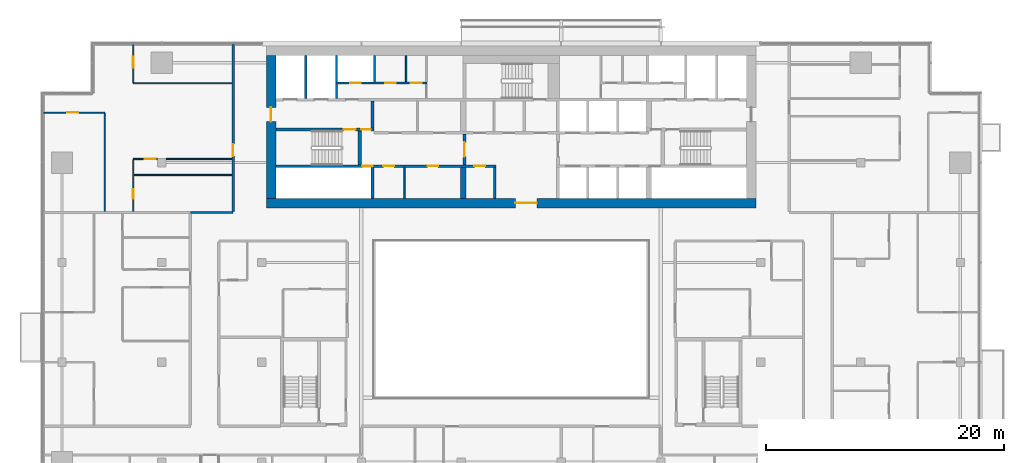
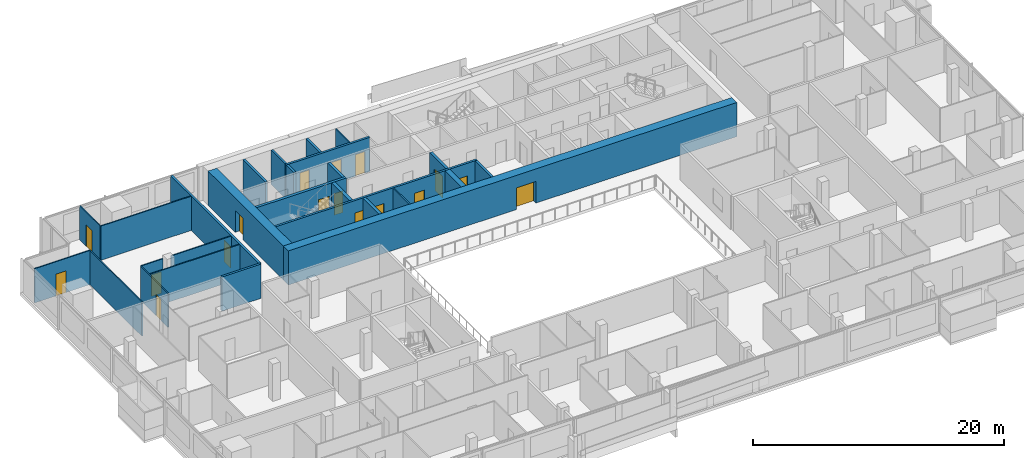
# One storey, part 20 of 27: 27 walls, 17 doors, 17 openings.
"""IFC4 building model written with IfcOpenShell, lengths in metres."""

from ifc_helpers import new_model, si_unit, direction, frame, frame_2d, origin, place, context, subcontext, project, spatial, rectangle, extrude, material, layer, layer_set, type_object, element, fill, save


model = new_model("IFC4")

# Units and contexts
model_context = context("Model", 3, precision=1e-05, world=origin(), true_north=direction((0.0, 1.0)))
body_context = subcontext(model_context, "Body", "Model", "MODEL_VIEW")
ifc_project = project(units=[si_unit("LENGTHUNIT", "METRE"), si_unit("AREAUNIT", "SQUARE_METRE"), si_unit("VOLUMEUNIT", "CUBIC_METRE"), si_unit("PLANEANGLEUNIT", "RADIAN"), si_unit("MASSUNIT", "GRAM", prefix="KILO")], contexts=[model_context])

# Site, building, storey
site_placement = place(None, origin())
site = spatial("IfcSite", under=ifc_project, at=site_placement, CompositionType="ELEMENT")
building_placement = place(site_placement, origin())
building = spatial("IfcBuilding", under=site, at=building_placement, Name="Saffron Gate Tower", CompositionType="ELEMENT")
storey_placement = place(building_placement, frame((0.0, 0.0, 172.64990234375)))
storey = spatial("IfcBuildingStorey", under=building, at=storey_placement, Name="L42", CompositionType="ELEMENT", Elevation=172.64990234375)

# Wall
ifc_material_1 = material(Name="Gypsum board partition on steel studs", Category="steel")
ifc_layer_1 = layer(ifc_material_1, 0.199951171875)
ifc_layer_set_1 = layer_set([ifc_layer_1], Name="CW10 Core partition 200")
wall_type_1 = type_object("IfcWallType", Name="CW10 Core partition 200", PredefinedType="PARTITIONING", material=ifc_layer_set_1)
wall_1_placement = place(storey_placement, frame((86.199951171875, 62.39990234375, 0.0), z_axis=(0.0, 0.0, 1.0), x_axis=(0.0, 1.0, 0.0)))
element("IfcWall", 1, at=wall_1_placement, inside=storey, type_object=wall_type_1, Name="Wall CW10-L42-8", PredefinedType="PARTITIONING", context=body_context, shape_type="SweptSolid", body=[
    extrude(rectangle(XDim=2.60009765625, YDim=0.199951171875, at=frame_2d((1.300048828125, 0.0))), origin(), (0.0, 0.0, 1.0), 3.320068359375),
])

# Wall, opening, door
ifc_material_2 = material(Name="Concrete C60", Category="concrete")
ifc_layer_2 = layer(ifc_material_2, 0.800048828125)
ifc_layer_set_2 = layer_set([ifc_layer_2], Name="CW13 RC core wall 800 C60")
wall_type_2 = type_object("IfcWallType", Name="CW13 RC core wall 800 C60", PredefinedType="SOLIDWALL", material=ifc_layer_set_2)
wall_2_placement = place(storey_placement, frame((67.0, 62.0, 0.0), z_axis=(0.0, 0.0, 1.0), x_axis=(1.0, 0.0, 0.0)))
wall_2 = element("IfcWall", 2, at=wall_2_placement, inside=storey, type_object=wall_type_2, Name="Wall CW13-L42-1", PredefinedType="SOLIDWALL", context=body_context, shape_type="SweptSolid", body=[
    extrude(rectangle(XDim=41.199951171875, YDim=0.800048828125, at=frame_2d((20.60009765625, 0.0))), origin(), (0.0, 0.0, 1.0), 3.320068359375),
])
opening_1_placement = place(wall_2_placement, frame((20.949951171875, 0.0, 0.0)))
opening_1 = element("IfcOpeningElement", 3, at=opening_1_placement, cuts=wall_2, Name="Opening CR-09", PredefinedType="OPENING", context=body_context, shape_type="SweptSolid", body=[
    extrude(rectangle(XDim=1.800048828125, YDim=2.10009765625, at=frame_2d((0.89990234375, 1.050048828125))), frame((0.0, 0.41015625, 0.0), z_axis=(0.0, -1.0, 0.0), x_axis=(1.0, 0.0, 0.0)), (0.0, 0.0, 1.0), 0.820068359375),
])
ifc_material_3 = material(Name="Steel fire door set", Category="steel")
door_type_1 = type_object("IfcDoorType", Name="CD1 Core entrance door 1800x2100 EI 120", OperationType="NOTDEFINED", PredefinedType="DOOR", material=ifc_material_3)
door_1_placement = place(opening_1_placement, origin())
door_1 = element("IfcDoor", 4, at=door_1_placement, inside=storey, type_object=door_type_1, Name="DOOR CR-09", OperationType="DOUBLE_DOOR_SINGLE_SWING", OverallHeight=2.10009765625, OverallWidth=1.800048828125, PredefinedType="DOOR", context=body_context, shape_type="SweptSolid", body=[
    extrude(rectangle(XDim=1.800048828125, YDim=2.10009765625, at=frame_2d((0.89990234375, 1.050048828125))), frame((0.0, 0.02490234375, 0.0), z_axis=(0.0, -1.0, 0.0), x_axis=(1.0, 0.0, 0.0)), (0.0, 0.0, 1.0), 0.050048828125),
])
fill(opening_1, door_1)

wall_3_placement = place(storey_placement, frame((67.39990234375, 62.39990234375, 0.0), z_axis=(0.0, 0.0, 1.0), x_axis=(0.0, 1.0, 0.0)))
wall_3 = element("IfcWall", 5, at=wall_3_placement, inside=storey, type_object=wall_type_2, Name="Wall CW13-L42-3", PredefinedType="SOLIDWALL", context=body_context, shape_type="SweptSolid", body=[
    extrude(rectangle(XDim=12.0, YDim=0.800048828125, at=frame_2d((6.0, 0.0))), origin(), (0.0, 0.0, 1.0), 3.320068359375),
])
opening_2_placement = place(wall_3_placement, frame((6.449951171875, 0.0, 0.0)))
opening_2 = element("IfcOpeningElement", 6, at=opening_2_placement, cuts=wall_3, Name="Opening CR-10", PredefinedType="OPENING", context=body_context, shape_type="SweptSolid", body=[
    extrude(rectangle(XDim=1.199951171875, YDim=2.10009765625, at=frame_2d((0.60009765625, 1.050048828125))), frame((0.0, 0.41015625, 0.0), z_axis=(0.0, -1.0, 0.0), x_axis=(1.0, 0.0, 0.0)), (0.0, 0.0, 1.0), 0.820068359375),
])
door_type_2 = type_object("IfcDoorType", Name="CD7 Core entrance door 1200x2100 EI 120", OperationType="NOTDEFINED", PredefinedType="DOOR", material=ifc_material_3)
door_2_placement = place(opening_2_placement, origin())
door_2 = element("IfcDoor", 7, at=door_2_placement, inside=storey, type_object=door_type_2, Name="DOOR CR-10", OperationType="SINGLE_SWING_LEFT", OverallHeight=2.10009765625, OverallWidth=1.199951171875, PredefinedType="DOOR", context=body_context, shape_type="SweptSolid", body=[
    extrude(rectangle(XDim=1.199951171875, YDim=2.10009765625, at=frame_2d((0.60009765625, 1.050048828125))), frame((0.0, 0.02490234375, 0.0), z_axis=(0.0, -1.0, 0.0), x_axis=(1.0, 0.0, 0.0)), (0.0, 0.0, 1.0), 0.050048828125),
])
fill(opening_2, door_2)

# Wall
ifc_layer_3 = layer(ifc_material_2, 0.25)
ifc_layer_set_3 = layer_set([ifc_layer_3], Name="CW14 RC core wall 250 C60")
wall_type_3 = type_object("IfcWallType", Name="CW14 RC core wall 250 C60", PredefinedType="SOLIDWALL", material=ifc_layer_set_3)
wall_4_placement = place(storey_placement, frame((75.925048828125, 62.39990234375, 0.0), z_axis=(0.0, 0.0, 1.0), x_axis=(0.0, 1.0, 0.0)))
element("IfcWall", 8, at=wall_4_placement, inside=storey, type_object=wall_type_3, Name="Wall CW14-L42-5", PredefinedType="SOLIDWALL", context=body_context, shape_type="SweptSolid", body=[
    extrude(rectangle(XDim=2.60009765625, YDim=0.25, at=frame_2d((1.300048828125, 0.0))), origin(), (0.0, 0.0, 1.0), 3.320068359375),
])

# Wall, opening, door
wall_5_placement = place(storey_placement, frame((83.675048828125, 65.199951171875, 0.0), z_axis=(0.0, 0.0, 1.0), x_axis=(0.0, 1.0, 0.0)))
wall_5 = element("IfcWall", 9, at=wall_5_placement, inside=storey, type_object=wall_type_3, Name="Wall CW14-L42-16", PredefinedType="SOLIDWALL", context=body_context, shape_type="SweptSolid", body=[
    extrude(rectangle(XDim=2.60009765625, YDim=0.25, at=frame_2d((1.300048828125, 0.0))), origin(), (0.0, 0.0, 1.0), 3.320068359375),
])
opening_3_placement = place(wall_5_placement, frame((0.699951171875, 0.0, 0.0)))
opening_3 = element("IfcOpeningElement", 10, at=opening_3_placement, cuts=wall_5, Name="Opening CR-07", PredefinedType="OPENING", context=body_context, shape_type="SweptSolid", body=[
    extrude(rectangle(XDim=1.199951171875, YDim=2.10009765625, at=frame_2d((0.60009765625, 1.050048828125))), frame((0.0, 0.135009765625, 0.0), z_axis=(0.0, -1.0, 0.0), x_axis=(1.0, 0.0, 0.0)), (0.0, 0.0, 1.0), 0.27001953125),
])
door_type_3 = type_object("IfcDoorType", Name="CD3 Lobby door 1200x2100 EI 120", OperationType="NOTDEFINED", PredefinedType="DOOR", material=ifc_material_3)
door_3_placement = place(opening_3_placement, origin())
door_3 = element("IfcDoor", 11, at=door_3_placement, inside=storey, type_object=door_type_3, Name="DOOR CR-07", OperationType="SINGLE_SWING_RIGHT", OverallHeight=2.10009765625, OverallWidth=1.199951171875, PredefinedType="DOOR", context=body_context, shape_type="SweptSolid", body=[
    extrude(rectangle(XDim=1.199951171875, YDim=2.10009765625, at=frame_2d((0.60009765625, 1.050048828125))), frame((0.0, 0.02490234375, 0.0), z_axis=(0.0, -1.0, 0.0), x_axis=(1.0, 0.0, 0.0)), (0.0, 0.0, 1.0), 0.050048828125),
])
fill(opening_3, door_3)

# Wall, openings, doors
wall_6_placement = place(storey_placement, frame((67.800048828125, 68.175048828125, 0.0), z_axis=(0.0, 0.0, 1.0), x_axis=(1.0, 0.0, 0.0)))
wall_6 = element("IfcWall", 12, at=wall_6_placement, inside=storey, type_object=wall_type_3, Name="Wall CW14-L42-28", PredefinedType="SOLIDWALL", context=body_context, shape_type="SweptSolid", body=[
    extrude(rectangle(XDim=8.25, YDim=0.25, at=frame_2d((4.125, 0.0))), origin(), (0.0, 0.0, 1.0), 3.320068359375),
])
opening_4_placement = place(wall_6_placement, frame((5.699951171875, 0.0, 0.0)))
opening_4 = element("IfcOpeningElement", 13, at=opening_4_placement, cuts=wall_6, Name="Opening CR-15", PredefinedType="OPENING", context=body_context, shape_type="SweptSolid", body=[
    extrude(rectangle(XDim=1.0, YDim=2.10009765625, at=frame_2d((0.5, 1.050048828125))), frame((0.0, 0.135009765625, 0.0), z_axis=(0.0, -1.0, 0.0), x_axis=(1.0, 0.0, 0.0)), (0.0, 0.0, 1.0), 0.27001953125),
])
opening_5_placement = place(wall_6_placement, frame((7.199951171875, 0.0, 0.0)))
opening_5 = element("IfcOpeningElement", 14, at=opening_5_placement, cuts=wall_6, Name="Opening CR-06", PredefinedType="OPENING", context=body_context, shape_type="SweptSolid", body=[
    extrude(rectangle(XDim=0.800048828125, YDim=2.10009765625, at=frame_2d((0.39990234375, 1.050048828125))), frame((0.0, 0.135009765625, 0.0), z_axis=(0.0, -1.0, 0.0), x_axis=(1.0, 0.0, 0.0)), (0.0, 0.0, 1.0), 0.27001953125),
])
door_type_4 = type_object("IfcDoorType", Name="CD5 Stair door 1000x2100 EI 120", OperationType="NOTDEFINED", PredefinedType="DOOR", material=ifc_material_3)
door_4_placement = place(opening_4_placement, origin())
door_4 = element("IfcDoor", 15, at=door_4_placement, inside=storey, type_object=door_type_4, Name="DOOR CR-15", OperationType="SINGLE_SWING_RIGHT", OverallHeight=2.10009765625, OverallWidth=1.0, PredefinedType="DOOR", context=body_context, shape_type="SweptSolid", body=[
    extrude(rectangle(XDim=1.0, YDim=2.10009765625, at=frame_2d((0.5, 1.050048828125))), frame((0.0, 0.02490234375, 0.0), z_axis=(0.0, -1.0, 0.0), x_axis=(1.0, 0.0, 0.0)), (0.0, 0.0, 1.0), 0.050048828125),
])
fill(opening_4, door_4)
door_type_5 = type_object("IfcDoorType", Name="CD6 Lobby door 800x2100 EI 120", OperationType="NOTDEFINED", PredefinedType="DOOR", material=ifc_material_3)
door_5_placement = place(opening_5_placement, origin())
door_5 = element("IfcDoor", 16, at=door_5_placement, inside=storey, type_object=door_type_5, Name="DOOR CR-06", OperationType="SINGLE_SWING_LEFT", OverallHeight=2.10009765625, OverallWidth=0.800048828125, PredefinedType="DOOR", context=body_context, shape_type="SweptSolid", body=[
    extrude(rectangle(XDim=0.800048828125, YDim=2.10009765625, at=frame_2d((0.39990234375, 1.050048828125))), frame((0.0, 0.02490234375, 0.0), z_axis=(0.0, -1.0, 0.0), x_axis=(1.0, 0.0, 0.0)), (0.0, 0.0, 1.0), 0.050048828125),
])
fill(opening_5, door_5)

# Wall
wall_7_placement = place(storey_placement, frame((75.925048828125, 68.300048828125, 0.0), z_axis=(0.0, 0.0, 1.0), x_axis=(0.0, 1.0, 0.0)))
element("IfcWall", 17, at=wall_7_placement, inside=storey, type_object=wall_type_3, Name="Wall CW14-L42-30", PredefinedType="SOLIDWALL", context=body_context, shape_type="SweptSolid", body=[
    extrude(rectangle(XDim=2.300048828125, YDim=0.25, at=frame_2d((1.14990234375, 0.0))), origin(), (0.0, 0.0, 1.0), 3.320068359375),
])

# Wall, openings, doors
ifc_layer_4 = layer(ifc_material_2, 0.199951171875)
ifc_layer_set_4 = layer_set([ifc_layer_4], Name="CW15 RC core wall 200 C60")
wall_type_4 = type_object("IfcWallType", Name="CW15 RC core wall 200 C60", PredefinedType="SOLIDWALL", material=ifc_layer_set_4)
wall_8_placement = place(storey_placement, frame((67.800048828125, 65.10009765625, 0.0), z_axis=(0.0, 0.0, 1.0), x_axis=(1.0, 0.0, 0.0)))
wall_8 = element("IfcWall", 18, at=wall_8_placement, inside=storey, type_object=wall_type_4, Name="Wall CW15-L42-13", PredefinedType="SOLIDWALL", context=body_context, shape_type="SweptSolid", body=[
    extrude(rectangle(XDim=18.5, YDim=0.199951171875, at=frame_2d((9.25, 0.0))), origin(), (0.0, 0.0, 1.0), 3.320068359375),
])
opening_6_placement = place(wall_8_placement, frame((7.27001953125, 0.0, 0.0)))
opening_6 = element("IfcOpeningElement", 19, at=opening_6_placement, cuts=wall_8, Name="Opening CR-49", PredefinedType="OPENING", context=body_context, shape_type="SweptSolid", body=[
    extrude(rectangle(XDim=0.89990234375, YDim=2.10009765625, at=frame_2d((0.449951171875, 1.050048828125))), frame((0.0, 0.10986328125, 0.0), z_axis=(0.0, -1.0, 0.0), x_axis=(1.0, 0.0, 0.0)), (0.0, 0.0, 1.0), 0.219970703125),
])
opening_7_placement = place(wall_8_placement, frame((9.050048828125, 0.0, 0.0)))
opening_7 = element("IfcOpeningElement", 20, at=opening_7_placement, cuts=wall_8, Name="Opening CR-64", PredefinedType="OPENING", context=body_context, shape_type="SweptSolid", body=[
    extrude(rectangle(XDim=0.89990234375, YDim=2.10009765625, at=frame_2d((0.449951171875, 1.050048828125))), frame((0.0, 0.10986328125, 0.0), z_axis=(0.0, -1.0, 0.0), x_axis=(1.0, 0.0, 0.0)), (0.0, 0.0, 1.0), 0.219970703125),
])
opening_8_placement = place(wall_8_placement, frame((12.760009765625, 0.0, 0.0)))
opening_8 = element("IfcOpeningElement", 21, at=opening_8_placement, cuts=wall_8, Name="Opening CR-65", PredefinedType="OPENING", context=body_context, shape_type="SweptSolid", body=[
    extrude(rectangle(XDim=0.89990234375, YDim=2.10009765625, at=frame_2d((0.449951171875, 1.050048828125))), frame((0.0, 0.10986328125, 0.0), z_axis=(0.0, -1.0, 0.0), x_axis=(1.0, 0.0, 0.0)), (0.0, 0.0, 1.0), 0.219970703125),
])
opening_9_placement = place(wall_8_placement, frame((16.699951171875, 0.0, 0.0)))
opening_9 = element("IfcOpeningElement", 22, at=opening_9_placement, cuts=wall_8, Name="Opening CR-69", PredefinedType="OPENING", context=body_context, shape_type="SweptSolid", body=[
    extrude(rectangle(XDim=0.89990234375, YDim=2.10009765625, at=frame_2d((0.449951171875, 1.050048828125))), frame((0.0, 0.10986328125, 0.0), z_axis=(0.0, -1.0, 0.0), x_axis=(1.0, 0.0, 0.0)), (0.0, 0.0, 1.0), 0.219970703125),
])
door_type_6 = type_object("IfcDoorType", Name="CD2 Riser door 900x2100 EI 60", OperationType="NOTDEFINED", PredefinedType="DOOR", material=ifc_material_3)
door_6_placement = place(opening_6_placement, origin())
door_6 = element("IfcDoor", 23, at=door_6_placement, inside=storey, type_object=door_type_6, Name="DOOR CR-49", OperationType="SINGLE_SWING_LEFT", OverallHeight=2.10009765625, OverallWidth=0.89990234375, PredefinedType="DOOR", context=body_context, shape_type="SweptSolid", body=[
    extrude(rectangle(XDim=0.89990234375, YDim=2.10009765625, at=frame_2d((0.449951171875, 1.050048828125))), frame((0.0, 0.02490234375, 0.0), z_axis=(0.0, -1.0, 0.0), x_axis=(1.0, 0.0, 0.0)), (0.0, 0.0, 1.0), 0.050048828125),
])
fill(opening_6, door_6)
door_type_7 = type_object("IfcDoorType", Name="CD9 Room door 900x2100 EI 60", OperationType="NOTDEFINED", PredefinedType="DOOR", material=ifc_material_3)
door_7_placement = place(opening_7_placement, origin())
door_7 = element("IfcDoor", 24, at=door_7_placement, inside=storey, type_object=door_type_7, Name="DOOR CR-64", OperationType="SINGLE_SWING_RIGHT", OverallHeight=2.10009765625, OverallWidth=0.89990234375, PredefinedType="DOOR", context=body_context, shape_type="SweptSolid", body=[
    extrude(rectangle(XDim=0.89990234375, YDim=2.10009765625, at=frame_2d((0.449951171875, 1.050048828125))), frame((0.0, 0.02490234375, 0.0), z_axis=(0.0, -1.0, 0.0), x_axis=(1.0, 0.0, 0.0)), (0.0, 0.0, 1.0), 0.050048828125),
])
fill(opening_7, door_7)
door_8_placement = place(opening_8_placement, origin())
door_8 = element("IfcDoor", 25, at=door_8_placement, inside=storey, type_object=door_type_7, Name="DOOR CR-65", OperationType="SINGLE_SWING_RIGHT", OverallHeight=2.10009765625, OverallWidth=0.89990234375, PredefinedType="DOOR", context=body_context, shape_type="SweptSolid", body=[
    extrude(rectangle(XDim=0.89990234375, YDim=2.10009765625, at=frame_2d((0.449951171875, 1.050048828125))), frame((0.0, 0.02490234375, 0.0), z_axis=(0.0, -1.0, 0.0), x_axis=(1.0, 0.0, 0.0)), (0.0, 0.0, 1.0), 0.050048828125),
])
fill(opening_8, door_8)
door_9_placement = place(opening_9_placement, origin())
door_9 = element("IfcDoor", 26, at=door_9_placement, inside=storey, type_object=door_type_7, Name="DOOR CR-69", OperationType="SINGLE_SWING_RIGHT", OverallHeight=2.10009765625, OverallWidth=0.89990234375, PredefinedType="DOOR", context=body_context, shape_type="SweptSolid", body=[
    extrude(rectangle(XDim=0.89990234375, YDim=2.10009765625, at=frame_2d((0.449951171875, 1.050048828125))), frame((0.0, 0.02490234375, 0.0), z_axis=(0.0, -1.0, 0.0), x_axis=(1.0, 0.0, 0.0)), (0.0, 0.0, 1.0), 0.050048828125),
])
fill(opening_9, door_9)

# Walls
wall_9_placement = place(storey_placement, frame((70.300048828125, 70.800048828125, 0.0), z_axis=(0.0, 0.0, 1.0), x_axis=(0.0, 1.0, 0.0)))
element("IfcWall", 27, at=wall_9_placement, inside=storey, type_object=wall_type_4, Name="Wall CW15-L42-33", PredefinedType="SOLIDWALL", context=body_context, shape_type="SweptSolid", body=[
    extrude(rectangle(XDim=3.599853515625, YDim=0.199951171875, at=frame_2d((1.7998046875, 0.0))), origin(), (0.0, 0.0, 1.0), 3.320068359375),
])
wall_10_placement = place(storey_placement, frame((72.89990234375, 70.800048828125, 0.0), z_axis=(0.0, 0.0, 1.0), x_axis=(0.0, 1.0, 0.0)))
element("IfcWall", 28, at=wall_10_placement, inside=storey, type_object=wall_type_4, Name="Wall CW15-L42-34", PredefinedType="SOLIDWALL", context=body_context, shape_type="SweptSolid", body=[
    extrude(rectangle(XDim=1.199951171875, YDim=0.199951171875, at=frame_2d((0.60009765625, 0.0))), origin(), (0.0, 0.0, 1.0), 3.320068359375),
])

# Wall, openings, doors
wall_11_placement = place(storey_placement, frame((72.800048828125, 72.10009765625, 0.0), z_axis=(0.0, 0.0, 1.0), x_axis=(1.0, 0.0, 0.0)))
wall_11 = element("IfcWall", 29, at=wall_11_placement, inside=storey, type_object=wall_type_4, Name="Wall CW15-L42-41", PredefinedType="SOLIDWALL", context=body_context, shape_type="SweptSolid", body=[
    extrude(rectangle(XDim=7.719970703125, YDim=0.199951171875, at=frame_2d((3.85986328125, 0.0))), origin(), (0.0, 0.0, 1.0), 3.320068359375),
])
opening_10_placement = place(wall_11_placement, frame((1.25, 0.0, 0.0)))
opening_10 = element("IfcOpeningElement", 30, at=opening_10_placement, cuts=wall_11, Name="Opening CR-71", PredefinedType="OPENING", context=body_context, shape_type="SweptSolid", body=[
    extrude(rectangle(XDim=0.89990234375, YDim=2.10009765625, at=frame_2d((0.449951171875, 1.050048828125))), frame((0.0, 0.10986328125, 0.0), z_axis=(0.0, -1.0, 0.0), x_axis=(1.0, 0.0, 0.0)), (0.0, 0.0, 1.0), 0.219970703125),
])
opening_11_placement = place(wall_11_placement, frame((4.199951171875, 0.0, 0.0)))
opening_11 = element("IfcOpeningElement", 31, at=opening_11_placement, cuts=wall_11, Name="Opening CR-55", PredefinedType="OPENING", context=body_context, shape_type="SweptSolid", body=[
    extrude(rectangle(XDim=0.89990234375, YDim=2.10009765625, at=frame_2d((0.449951171875, 1.050048828125))), frame((0.0, 0.10986328125, 0.0), z_axis=(0.0, -1.0, 0.0), x_axis=(1.0, 0.0, 0.0)), (0.0, 0.0, 1.0), 0.219970703125),
])
opening_12_placement = place(wall_11_placement, frame((6.360107421875, 0.0, 0.0)))
opening_12 = element("IfcOpeningElement", 32, at=opening_12_placement, cuts=wall_11, Name="Opening CR-58", PredefinedType="OPENING", context=body_context, shape_type="SweptSolid", body=[
    extrude(rectangle(XDim=0.89990234375, YDim=2.10009765625, at=frame_2d((0.449951171875, 1.050048828125))), frame((0.0, 0.10986328125, 0.0), z_axis=(0.0, -1.0, 0.0), x_axis=(1.0, 0.0, 0.0)), (0.0, 0.0, 1.0), 0.219970703125),
])
door_10_placement = place(opening_10_placement, origin())
door_10 = element("IfcDoor", 33, at=door_10_placement, inside=storey, type_object=door_type_6, Name="DOOR CR-71", OperationType="SINGLE_SWING_LEFT", OverallHeight=2.10009765625, OverallWidth=0.89990234375, PredefinedType="DOOR", context=body_context, shape_type="SweptSolid", body=[
    extrude(rectangle(XDim=0.89990234375, YDim=2.10009765625, at=frame_2d((0.449951171875, 1.050048828125))), frame((0.0, 0.02490234375, 0.0), z_axis=(0.0, -1.0, 0.0), x_axis=(1.0, 0.0, 0.0)), (0.0, 0.0, 1.0), 0.050048828125),
])
fill(opening_10, door_10)
door_11_placement = place(opening_11_placement, origin())
door_11 = element("IfcDoor", 34, at=door_11_placement, inside=storey, type_object=door_type_7, Name="DOOR CR-55", OperationType="SINGLE_SWING_LEFT", OverallHeight=2.10009765625, OverallWidth=0.89990234375, PredefinedType="DOOR", context=body_context, shape_type="SweptSolid", body=[
    extrude(rectangle(XDim=0.89990234375, YDim=2.10009765625, at=frame_2d((0.449951171875, 1.050048828125))), frame((0.0, 0.02490234375, 0.0), z_axis=(0.0, -1.0, 0.0), x_axis=(1.0, 0.0, 0.0)), (0.0, 0.0, 1.0), 0.050048828125),
])
fill(opening_11, door_11)
door_12_placement = place(opening_12_placement, origin())
door_12 = element("IfcDoor", 35, at=door_12_placement, inside=storey, type_object=door_type_7, Name="DOOR CR-58", OperationType="SINGLE_SWING_LEFT", OverallHeight=2.10009765625, OverallWidth=0.89990234375, PredefinedType="DOOR", context=body_context, shape_type="SweptSolid", body=[
    extrude(rectangle(XDim=0.89990234375, YDim=2.10009765625, at=frame_2d((0.449951171875, 1.050048828125))), frame((0.0, 0.02490234375, 0.0), z_axis=(0.0, -1.0, 0.0), x_axis=(1.0, 0.0, 0.0)), (0.0, 0.0, 1.0), 0.050048828125),
])
fill(opening_12, door_12)

# Walls
for number, where, z_axis, x_axis, name in (
    (36, (72.89990234375, 72.199951171875, 0.0), (0.0, 0.0, 1.0), (0.0, 1.0, 0.0), "Wall CW15-L42-43"),
    (37, (76.10009765625, 72.199951171875, 0.0), (0.0, 0.0, 1.0), (0.0, 1.0, 0.0), "Wall CW15-L42-44"),
):
    element("IfcWall", number, at=place(storey_placement, frame(where, z_axis=z_axis, x_axis=x_axis)), inside=storey, type_object=wall_type_4, Name=name, PredefinedType="SOLIDWALL", context=body_context, shape_type="SweptSolid", body=[
        extrude(rectangle(XDim=2.199951171875, YDim=0.199951171875, at=frame_2d((1.10009765625, 0.0))), origin(), (0.0, 0.0, 1.0), 3.320068359375),
    ])
ifc_layer_5 = layer(ifc_material_2, 0.449951171875)
ifc_layer_set_5 = layer_set([ifc_layer_5], Name="CW16 RC core wall 450 C60")
wall_type_5 = type_object("IfcWallType", Name="CW16 RC core wall 450 C60", PredefinedType="SOLIDWALL", material=ifc_layer_set_5)
wall_12_placement = place(storey_placement, frame((83.574951171875, 62.39990234375, 0.0), z_axis=(0.0, 0.0, 1.0), x_axis=(0.0, 1.0, 0.0)))
element("IfcWall", 38, at=wall_12_placement, inside=storey, type_object=wall_type_5, Name="Wall CW16-L42-7", PredefinedType="SOLIDWALL", context=body_context, shape_type="SweptSolid", body=[
    extrude(rectangle(XDim=2.60009765625, YDim=0.449951171875, at=frame_2d((1.300048828125, 0.0))), origin(), (0.0, 0.0, 1.0), 3.320068359375),
])
ifc_layer_6 = layer(ifc_material_2, 0.300048828125)
ifc_layer_set_6 = layer_set([ifc_layer_6], Name="CW17 RC core wall 300 C60")
wall_type_6 = type_object("IfcWallType", Name="CW17 RC core wall 300 C60", PredefinedType="SOLIDWALL", material=ifc_layer_set_6)
wall_13_placement = place(storey_placement, frame((74.85009765625, 65.199951171875, 0.0), z_axis=(0.0, 0.0, 1.0), x_axis=(0.0, 1.0, 0.0)))
element("IfcWall", 39, at=wall_13_placement, inside=storey, type_object=wall_type_6, Name="Wall CW17-L42-15", PredefinedType="SOLIDWALL", context=body_context, shape_type="SweptSolid", body=[
    extrude(rectangle(XDim=2.85009765625, YDim=0.300048828125, at=frame_2d((1.425048828125, 0.0))), origin(), (0.0, 0.0, 1.0), 3.320068359375),
])
ifc_layer_7 = layer(ifc_material_1, 0.1201171875)
ifc_layer_set_7 = layer_set([ifc_layer_7], Name="CW8 Core partition 120")
wall_type_7 = type_object("IfcWallType", Name="CW8 Core partition 120", PredefinedType="PARTITIONING", material=ifc_layer_set_7)
wall_14_placement = place(storey_placement, frame((78.610107421875, 62.39990234375, 0.0), z_axis=(0.0, 0.0, 1.0), x_axis=(0.0, 1.0, 0.0)))
element("IfcWall", 40, at=wall_14_placement, inside=storey, type_object=wall_type_7, Name="Wall CW8-L42-6", PredefinedType="PARTITIONING", context=body_context, shape_type="SweptSolid", body=[
    extrude(rectangle(XDim=2.60009765625, YDim=0.1201171875, at=frame_2d((1.300048828125, 0.0))), origin(), (0.0, 0.0, 1.0), 3.320068359375),
])
wall_15_placement = place(storey_placement, frame((78.760009765625, 72.199951171875, 0.0), z_axis=(0.0, 0.0, 1.0), x_axis=(0.0, 1.0, 0.0)))
element("IfcWall", 41, at=wall_15_placement, inside=storey, type_object=wall_type_7, Name="Wall CW8-L42-45", PredefinedType="PARTITIONING", context=body_context, shape_type="SweptSolid", body=[
    extrude(rectangle(XDim=2.199951171875, YDim=0.1201171875, at=frame_2d((1.10009765625, 0.0))), origin(), (0.0, 0.0, 1.0), 3.320068359375),
])
ifc_material_4 = material(Name="Plasterboard on steel studs", Category="steel")
ifc_layer_8 = layer(ifc_material_4, 0.10009765625)
ifc_layer_set_8 = layer_set([ifc_layer_8], Name="PW1 Partition 100")
wall_type_8 = type_object("IfcWallType", Name="PW1 Partition 100", PredefinedType="PARTITIONING", material=ifc_layer_set_8)
wall_16_placement = place(storey_placement, frame((55.85009765625, 64.354736328125, 0.0), z_axis=(0.0, 0.0, 1.0), x_axis=(1.0, 0.0, 0.0)))
element("IfcWall", 42, at=wall_16_placement, inside=storey, type_object=wall_type_8, Name="Partition C3-45", PredefinedType="PARTITIONING", context=body_context, shape_type="SweptSolid", body=[
    extrude(rectangle(XDim=8.25, YDim=0.10009765625, at=frame_2d((4.125, 0.0))), origin(), (0.0, 0.0, 1.0), 3.320068359375),
])

# Wall, opening, door
wall_17_placement = place(storey_placement, frame((57.830078125, 65.699951171875, 0.0), z_axis=(0.0, 0.0, 1.0), x_axis=(-1.0, 0.0, 0.0)))
wall_17 = element("IfcWall", 43, at=wall_17_placement, inside=storey, type_object=wall_type_8, Name="Partition C3-48", PredefinedType="PARTITIONING", context=body_context, shape_type="SweptSolid", body=[
    extrude(rectangle(XDim=2.030029296875, YDim=0.10009765625, at=frame_2d((1.01513671875, 0.0))), origin(), (0.0, 0.0, 1.0), 3.320068359375),
])
opening_13_placement = place(wall_17_placement, frame((0.14990234375, 0.0, 0.0)))
opening_13 = element("IfcOpeningElement", 44, at=opening_13_placement, cuts=wall_17, Name="Opening C3-31", PredefinedType="OPENING", context=body_context, shape_type="SweptSolid", body=[
    extrude(rectangle(XDim=0.89990234375, YDim=2.10009765625, at=frame_2d((0.449951171875, 1.050048828125))), frame((0.0, 0.06005859375, 0.0), z_axis=(0.0, -1.0, 0.0), x_axis=(1.0, 0.0, 0.0)), (0.0, 0.0, 1.0), 0.1201171875),
])
ifc_material_5 = material(Name="Timber door set", Category="wood")
door_type_8 = type_object("IfcDoorType", Name="RD1 Room door 900x2100", OperationType="NOTDEFINED", PredefinedType="DOOR", material=ifc_material_5)
door_13_placement = place(opening_13_placement, origin())
door_13 = element("IfcDoor", 45, at=door_13_placement, inside=storey, type_object=door_type_8, Name="Door C3-31", OperationType="SINGLE_SWING_LEFT", OverallHeight=2.10009765625, OverallWidth=0.89990234375, PredefinedType="DOOR", context=body_context, shape_type="SweptSolid", body=[
    extrude(rectangle(XDim=0.89990234375, YDim=2.10009765625, at=frame_2d((0.449951171875, 1.050048828125))), frame((0.0, 0.02490234375, 0.0), z_axis=(0.0, -1.0, 0.0), x_axis=(1.0, 0.0, 0.0)), (0.0, 0.0, 1.0), 0.050048828125),
])
fill(opening_13, door_13)

# Wall
wall_18_placement = place(storey_placement, frame((58.570068359375, 65.699951171875, 0.0), z_axis=(0.0, 0.0, 1.0), x_axis=(1.0, 0.0, 0.0)))
element("IfcWall", 46, at=wall_18_placement, inside=storey, type_object=wall_type_8, Name="Partition C3-49", PredefinedType="PARTITIONING", context=body_context, shape_type="SweptSolid", body=[
    extrude(rectangle(XDim=5.530029296875, YDim=0.10009765625, at=frame_2d((2.76513671875, 0.0))), origin(), (0.0, 0.0, 1.0), 3.320068359375),
])

# Wall, opening, door
wall_19_placement = place(storey_placement, frame((53.39990234375, 69.60009765625, 0.0), z_axis=(0.0, 0.0, 1.0), x_axis=(-1.0, 0.0, 0.0)))
wall_19 = element("IfcWall", 47, at=wall_19_placement, inside=storey, type_object=wall_type_8, Name="Partition C3-51", PredefinedType="PARTITIONING", context=body_context, shape_type="SweptSolid", body=[
    extrude(rectangle(XDim=5.119873046875, YDim=0.10009765625, at=frame_2d((2.56005859375, 0.0))), origin(), (0.0, 0.0, 1.0), 3.320068359375),
])
opening_14_placement = place(wall_19_placement, frame((2.25, 0.0, 0.0)))
opening_14 = element("IfcOpeningElement", 48, at=opening_14_placement, cuts=wall_19, Name="Opening C3-29", PredefinedType="OPENING", context=body_context, shape_type="SweptSolid", body=[
    extrude(rectangle(XDim=0.89990234375, YDim=2.10009765625, at=frame_2d((0.449951171875, 1.050048828125))), frame((0.0, 0.06005859375, 0.0), z_axis=(0.0, -1.0, 0.0), x_axis=(1.0, 0.0, 0.0)), (0.0, 0.0, 1.0), 0.1201171875),
])
door_14_placement = place(opening_14_placement, origin())
door_14 = element("IfcDoor", 49, at=door_14_placement, inside=storey, type_object=door_type_8, Name="Door C3-29", OperationType="SINGLE_SWING_RIGHT", OverallHeight=2.10009765625, OverallWidth=0.89990234375, PredefinedType="DOOR", context=body_context, shape_type="SweptSolid", body=[
    extrude(rectangle(XDim=0.89990234375, YDim=2.10009765625, at=frame_2d((0.449951171875, 1.050048828125))), frame((0.0, 0.02490234375, 0.0), z_axis=(0.0, -1.0, 0.0), x_axis=(1.0, 0.0, 0.0)), (0.0, 0.0, 1.0), 0.050048828125),
])
fill(opening_14, door_14)

# Walls
wall_20_placement = place(storey_placement, frame((55.800048828125, 72.0810546875, 0.0), z_axis=(0.0, 0.0, 1.0), x_axis=(1.0, 0.0, 0.0)))
element("IfcWall", 50, at=wall_20_placement, inside=storey, type_object=wall_type_8, Name="Partition C3-54", PredefinedType="PARTITIONING", context=body_context, shape_type="SweptSolid", body=[
    extrude(rectangle(XDim=8.300048828125, YDim=0.10009765625, at=frame_2d((4.14990234375, 0.0))), origin(), (0.0, 0.0, 1.0), 3.320068359375),
])
wall_21_placement = place(storey_placement, frame((53.39990234375, 69.550048828125, 0.0), z_axis=(0.0, 0.0, 1.0), x_axis=(0.0, -1.0, 0.0)))
element("IfcWall", 51, at=wall_21_placement, inside=storey, type_object=wall_type_8, Name="Partition C3-59", PredefinedType="PARTITIONING", context=body_context, shape_type="SweptSolid", body=[
    extrude(rectangle(XDim=8.25, YDim=0.10009765625, at=frame_2d((4.125, 0.0))), origin(), (0.0, 0.0, 1.0), 3.320068359375),
])

# Wall, opening, door
wall_22_placement = place(storey_placement, frame((55.800048828125, 65.64990234375, 0.0), z_axis=(0.0, 0.0, 1.0), x_axis=(0.0, -1.0, 0.0)))
wall_22 = element("IfcWall", 52, at=wall_22_placement, inside=storey, type_object=wall_type_8, Name="Partition C3-64", PredefinedType="PARTITIONING", context=body_context, shape_type="SweptSolid", body=[
    extrude(rectangle(XDim=4.349853515625, YDim=0.10009765625, at=frame_2d((2.1748046875, 0.0))), origin(), (0.0, 0.0, 1.0), 3.320068359375),
])
opening_15_placement = place(wall_22_placement, frame((2.47265625, 0.0, 0.0)))
opening_15 = element("IfcOpeningElement", 53, at=opening_15_placement, cuts=wall_22, Name="Opening C3-49", PredefinedType="OPENING", context=body_context, shape_type="SweptSolid", body=[
    extrude(rectangle(XDim=0.800048828125, YDim=2.10009765625, at=frame_2d((0.39990234375, 1.050048828125))), frame((0.0, 0.06005859375, 0.0), z_axis=(0.0, -1.0, 0.0), x_axis=(1.0, 0.0, 0.0)), (0.0, 0.0, 1.0), 0.1201171875),
])
door_type_9 = type_object("IfcDoorType", Name="RD2 Bathroom door 800x2100", OperationType="NOTDEFINED", PredefinedType="DOOR", material=ifc_material_5)
door_15_placement = place(opening_15_placement, origin())
door_15 = element("IfcDoor", 54, at=door_15_placement, inside=storey, type_object=door_type_9, Name="Door C3-49", OperationType="SINGLE_SWING_RIGHT", OverallHeight=2.10009765625, OverallWidth=0.800048828125, PredefinedType="DOOR", context=body_context, shape_type="SweptSolid", body=[
    extrude(rectangle(XDim=0.800048828125, YDim=2.10009765625, at=frame_2d((0.39990234375, 1.050048828125))), frame((0.0, 0.02490234375, 0.0), z_axis=(0.0, -1.0, 0.0), x_axis=(1.0, 0.0, 0.0)), (0.0, 0.0, 1.0), 0.050048828125),
])
fill(opening_15, door_15)

wall_23_placement = place(storey_placement, frame((55.800048828125, 75.320068359375, 0.0), z_axis=(0.0, 0.0, 1.0), x_axis=(0.0, -1.0, 0.0)))
wall_23 = element("IfcWall", 55, at=wall_23_placement, inside=storey, type_object=wall_type_8, Name="Partition C3-65", PredefinedType="PARTITIONING", context=body_context, shape_type="SweptSolid", body=[
    extrude(rectangle(XDim=3.18896484375, YDim=0.10009765625, at=frame_2d((1.594482421875, 0.0))), origin(), (0.0, 0.0, 1.0), 3.320068359375),
])
opening_16_placement = place(wall_23_placement, frame((1.029541015625, 0.0, 0.0)))
opening_16 = element("IfcOpeningElement", 56, at=opening_16_placement, cuts=wall_23, Name="Opening C3-30", PredefinedType="OPENING", context=body_context, shape_type="SweptSolid", body=[
    extrude(rectangle(XDim=0.89990234375, YDim=2.10009765625, at=frame_2d((0.449951171875, 1.050048828125))), frame((0.0, 0.06005859375, 0.0), z_axis=(0.0, -1.0, 0.0), x_axis=(1.0, 0.0, 0.0)), (0.0, 0.0, 1.0), 0.1201171875),
])
door_16_placement = place(opening_16_placement, origin())
door_16 = element("IfcDoor", 57, at=door_16_placement, inside=storey, type_object=door_type_8, Name="Door C3-30", OperationType="SINGLE_SWING_LEFT", OverallHeight=2.10009765625, OverallWidth=0.89990234375, PredefinedType="DOOR", context=body_context, shape_type="SweptSolid", body=[
    extrude(rectangle(XDim=0.89990234375, YDim=2.10009765625, at=frame_2d((0.449951171875, 1.050048828125))), frame((0.0, 0.02490234375, 0.0), z_axis=(0.0, -1.0, 0.0), x_axis=(1.0, 0.0, 0.0)), (0.0, 0.0, 1.0), 0.050048828125),
])
fill(opening_16, door_16)

# Wall
ifc_material_6 = material(Name="Clay brick masonry, rendered", Category="masonry")
ifc_layer_9 = layer(ifc_material_6, 0.199951171875)
ifc_layer_set_9 = layer_set([ifc_layer_9], Name="PW3 Corridor wall 200")
wall_type_9 = type_object("IfcWallType", Name="PW3 Corridor wall 200", PredefinedType="PARTITIONING", material=ifc_layer_set_9)
wall_24_placement = place(storey_placement, frame((60.60009765625, 61.199951171875, 0.0), z_axis=(0.0, 0.0, 1.0), x_axis=(1.0, 0.0, 0.0)))
element("IfcWall", 58, at=wall_24_placement, inside=storey, type_object=wall_type_9, Name="Wall C3-41", PredefinedType="PARTITIONING", context=body_context, shape_type="SweptSolid", body=[
    extrude(rectangle(XDim=3.599853515625, YDim=0.199951171875, at=frame_2d((1.7998046875, 0.0))), origin(), (0.0, 0.0, 1.0), 3.320068359375),
])

# Wall, opening, door
wall_25_placement = place(storey_placement, frame((64.199951171875, 61.300048828125, 0.0), z_axis=(0.0, 0.0, 1.0), x_axis=(0.0, 1.0, 0.0)))
wall_25 = element("IfcWall", 59, at=wall_25_placement, inside=storey, type_object=wall_type_9, Name="Wall C3-73", PredefinedType="PARTITIONING", context=body_context, shape_type="SweptSolid", body=[
    extrude(rectangle(XDim=14.02001953125, YDim=0.199951171875, at=frame_2d((7.010009765625, 0.0))), origin(), (0.0, 0.0, 1.0), 3.320068359375),
])
opening_17_placement = place(wall_25_placement, frame((4.64990234375, 0.0, 0.0)))
opening_17 = element("IfcOpeningElement", 60, at=opening_17_placement, cuts=wall_25, Name="Opening C3-6", PredefinedType="OPENING", context=body_context, shape_type="SweptSolid", body=[
    extrude(rectangle(XDim=1.0, YDim=2.10009765625, at=frame_2d((0.5, 1.050048828125))), frame((0.0, 0.10986328125, 0.0), z_axis=(0.0, -1.0, 0.0), x_axis=(1.0, 0.0, 0.0)), (0.0, 0.0, 1.0), 0.219970703125),
])
ifc_material_7 = material(Name="Timber fire door set", Category="wood")
door_type_10 = type_object("IfcDoorType", Name="FD1 Flat entry door 1000x2100", OperationType="NOTDEFINED", PredefinedType="DOOR", material=ifc_material_7)
door_17_placement = place(opening_17_placement, origin())
door_17 = element("IfcDoor", 61, at=door_17_placement, inside=storey, type_object=door_type_10, Name="Door C3-6", OperationType="SINGLE_SWING_LEFT", OverallHeight=2.10009765625, OverallWidth=1.0, PredefinedType="DOOR", context=body_context, shape_type="SweptSolid", body=[
    extrude(rectangle(XDim=1.0, YDim=2.10009765625, at=frame_2d((0.5, 1.050048828125))), frame((0.0, 0.02490234375, 0.0), z_axis=(0.0, -1.0, 0.0), x_axis=(1.0, 0.0, 0.0)), (0.0, 0.0, 1.0), 0.050048828125),
])
fill(opening_17, door_17)

save(model, "model.ifc")
